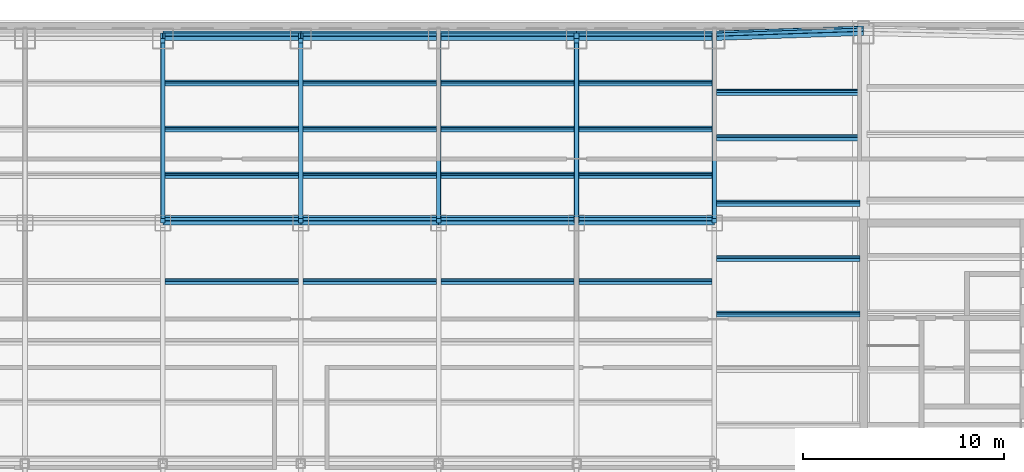
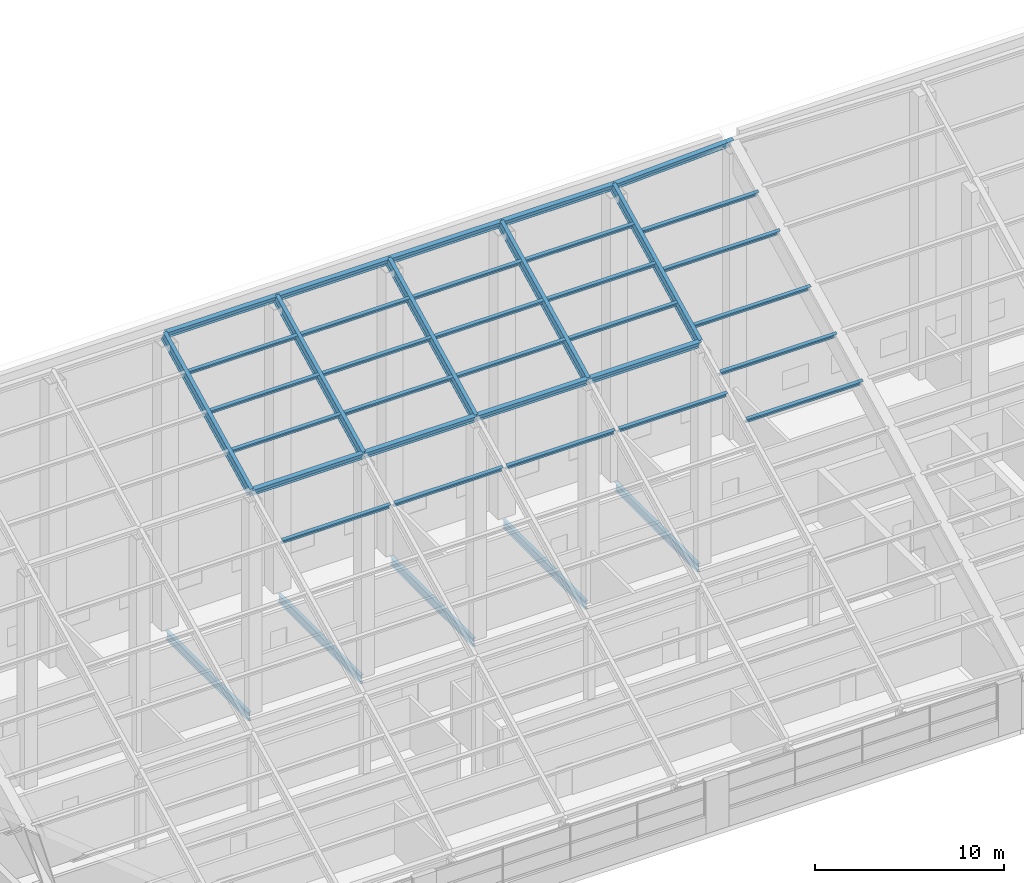
# One storey, part 12 of 28: 35 members, 5 beams.
"""IFC4 building model written with IfcOpenShell, lengths in metres."""

from ifc_helpers import new_model, si_unit, direction, frame, origin, origin_2d, place, context, subcontext, project, spatial, i_section, extrude, material, material_profile, profile_set, type_object, element, save


model = new_model("IFC4")

# Units and contexts
model_context = context("Model", 3, precision=1e-05, world=origin(), true_north=direction((0.0, 1.0)))
body_context = subcontext(model_context, "Body", "Model", "MODEL_VIEW")
ifc_project = project(units=[si_unit("LENGTHUNIT", "METRE"), si_unit("AREAUNIT", "SQUARE_METRE"), si_unit("VOLUMEUNIT", "CUBIC_METRE"), si_unit("PLANEANGLEUNIT", "RADIAN"), si_unit("MASSUNIT", "GRAM", prefix="KILO")], contexts=[model_context])

# Site, building, storey
site_placement = place(None, origin())
site = spatial("IfcSite", under=ifc_project, at=site_placement, CompositionType="ELEMENT")
building_placement = place(site_placement, origin())
building = spatial("IfcBuilding", under=site, at=building_placement, Name="Tuart Gate Housing", CompositionType="ELEMENT")
storey_placement = place(building_placement, frame((0.0, 0.0, 243.89990234375)))
storey = spatial("IfcBuildingStorey", under=building, at=storey_placement, Name="L68", CompositionType="ELEMENT", Elevation=243.89990234375)

# Members
ifc_material_1 = material(Name="Steel Grade 350", Category="steel")
ifc_material_profile_1 = material_profile(ifc_material_1, i_section(OverallWidth=0.22900390625, OverallDepth=0.612060546875, WebThickness=0.011962890625, FlangeThickness=0.01953125, at=origin_2d()), Name="610UB125")
ifc_profile_set_1 = profile_set([ifc_material_profile_1], Name="Steel Grade 350")
member_type_1 = type_object("IfcMemberType", Name="Crown purlin 610 UB125", PredefinedType="PURLIN", material=ifc_profile_set_1)
for number, where, z_axis, x_axis, name in (
    (1, (96.625, 76.13671875, 14.0263671875), (1.0, 0.0, 0.0), (0.0, 0.89442680992, 0.44721435766), "Crown purlin 27"),
    (2, (103.5, 76.13671875, 14.0263671875), (1.0, 0.0, 0.0), (0.0, 0.89442680992, 0.44721435766), "Crown purlin 28"),
    (3, (110.375, 76.13671875, 14.0263671875), (1.0, 0.0, 0.0), (0.0, 0.89442680992, 0.44721435766), "Crown purlin 29"),
    (4, (117.25, 76.13671875, 14.0263671875), (1.0, 0.0, 0.0), (0.0, 0.89442680992, 0.44721435766), "Crown purlin 30"),
    (5, (96.625, 85.3369140625, 18.62646484375), (1.0, 0.0, 0.0), (0.0, 0.89442680992, 0.44721435766), "Crown purlin 39"),
    (6, (103.5, 85.3369140625, 18.62646484375), (1.0, 0.0, 0.0), (0.0, 0.89442680992, 0.44721435766), "Crown purlin 40"),
    (7, (110.375, 85.3369140625, 18.62646484375), (1.0, 0.0, 0.0), (0.0, 0.89442680992, 0.44721435766), "Crown purlin 41"),
    (8, (117.25, 85.3369140625, 18.62646484375), (1.0, 0.0, 0.0), (0.0, 0.89442680992, 0.44721435766), "Crown purlin 42"),
):
    element("IfcMember", number, at=place(storey_placement, frame(where, z_axis=z_axis, x_axis=x_axis)), inside=storey, type_object=member_type_1, Name=name, PredefinedType="PURLIN", context=body_context, shape_type="SweptSolid", body=[
        extrude(i_section(OverallWidth=0.22900390625, OverallDepth=0.612060546875, WebThickness=0.011962890625, FlangeThickness=0.01953125, at=origin_2d()), origin(), (0.0, 0.0, 1.0), 6.875),
    ])
member_1_placement = place(storey_placement, frame((124.125, 85.3369140625, 18.62646484375), z_axis=(0.999292216984, 0.03364598133, 0.016822990665), x_axis=(-0.037617349195, 0.893667083504, 0.44715106944)))
element("IfcMember", 9, at=member_1_placement, inside=storey, type_object=member_type_1, Name="Crown purlin 43", PredefinedType="PURLIN", context=body_context, shape_type="SweptSolid", body=[
    extrude(i_section(OverallWidth=0.22900390625, OverallDepth=0.612060546875, WebThickness=0.011962890625, FlangeThickness=0.01953125, at=origin_2d()), origin(), (0.0, 0.0, 1.0), 7.430419921875),
])
ifc_material_2 = material(Name="Steel Grade 350", Category="steel")
ifc_material_profile_2 = material_profile(ifc_material_2, i_section(OverallWidth=0.22900390625, OverallDepth=0.612060546875, WebThickness=0.011962890625, FlangeThickness=0.01953125, at=origin_2d()), Name="610UB125")
ifc_profile_set_2 = profile_set([ifc_material_profile_2], Name="Steel Grade 350")
member_type_2 = type_object("IfcMemberType", Name="Crown rafter 610 UB125 (10.3-10.6 m)", PredefinedType="RAFTER", material=ifc_profile_set_2)
for number, where, z_axis, x_axis, name in (
    (10, (96.625, 76.13671875, 14.0263671875), (0.0, 0.894427191, 0.4472135955), (-1.0, 0.0, 0.0), "Crown rafter 20"),
    (11, (103.5, 76.13671875, 14.0263671875), (0.0, 0.894427191, 0.4472135955), (-1.0, 0.0, 0.0), "Crown rafter 23"),
    (12, (110.375, 76.13671875, 14.0263671875), (0.0, 0.894427191, 0.4472135955), (-1.0, 0.0, 0.0), "Crown rafter 26"),
    (13, (117.25, 76.13671875, 14.0263671875), (0.0, 0.894427191, 0.4472135955), (-1.0, 0.0, 0.0), "Crown rafter 29"),
    (14, (124.125, 76.13671875, 14.0263671875), (0.0, 0.894427191, 0.4472135955), (-1.0, 0.0, 0.0), "Crown rafter 32"),
):
    element("IfcMember", number, at=place(storey_placement, frame(where, z_axis=z_axis, x_axis=x_axis)), inside=storey, type_object=member_type_2, Name=name, PredefinedType="RAFTER", context=body_context, shape_type="SweptSolid", body=[
        extrude(i_section(OverallWidth=0.22900390625, OverallDepth=0.612060546875, WebThickness=0.011962890625, FlangeThickness=0.01953125, at=origin_2d()), origin(), (0.0, 0.0, 1.0), 10.2861328125),
    ])
ifc_material_3 = material(Name="Steel Grade 350", Category="steel")
ifc_material_profile_3 = material_profile(ifc_material_3, i_section(OverallWidth=0.1708984375, OverallDepth=0.35205078125, WebThickness=0.0068359375, FlangeThickness=0.009765625, at=origin_2d()), Name="360UB44.7")
ifc_profile_set_3 = profile_set([ifc_material_profile_3], Name="Steel Grade 350")
member_type_3 = type_object("IfcMemberType", Name="Crown secondary purlin 360 UB44.7", PredefinedType="PURLIN", material=ifc_profile_set_3)
member_2_placement = place(storey_placement, frame((124.239501953125, 71.46044921875, 11.83349609375), z_axis=(1.0, 0.0, 0.0), x_axis=(0.0, 0.89442680992, 0.44721435766)))
element("IfcMember", 15, at=member_2_placement, inside=storey, type_object=member_type_3, Name="Crown secondary purlin 78", PredefinedType="PURLIN", context=body_context, shape_type="SweptSolid", body=[
    extrude(i_section(OverallWidth=0.1708984375, OverallDepth=0.35205078125, WebThickness=0.0068359375, FlangeThickness=0.009765625, at=origin_2d()), origin(), (0.0, 0.0, 1.0), 7.135498046875),
])
for number, where, z_axis, x_axis, name in (
    (16, (96.739501953125, 73.07861328125, 12.642578125), (1.0, 0.0, 0.0), (0.0, 0.89442680992, 0.44721435766), "Crown secondary purlin 84"),
    (17, (103.614501953125, 73.07861328125, 12.642578125), (1.0, 0.0, 0.0), (0.0, 0.89442680992, 0.44721435766), "Crown secondary purlin 85"),
    (18, (110.489501953125, 73.07861328125, 12.642578125), (1.0, 0.0, 0.0), (0.0, 0.89442680992, 0.44721435766), "Crown secondary purlin 86"),
    (19, (117.364501953125, 73.07861328125, 12.642578125), (1.0, 0.0, 0.0), (0.0, 0.89442680992, 0.44721435766), "Crown secondary purlin 87"),
):
    element("IfcMember", number, at=place(storey_placement, frame(where, z_axis=z_axis, x_axis=x_axis)), inside=storey, type_object=member_type_3, Name=name, PredefinedType="PURLIN", context=body_context, shape_type="SweptSolid", body=[
        extrude(i_section(OverallWidth=0.1708984375, OverallDepth=0.35205078125, WebThickness=0.0068359375, FlangeThickness=0.009765625, at=origin_2d()), origin(), (0.0, 0.0, 1.0), 6.64599609375),
    ])
for number, where, z_axis, x_axis, name in (
    (20, (124.239501953125, 74.22412109375, 13.21533203125), (1.0, 0.0, 0.0), (0.0, 0.89442680992, 0.44721435766), "Crown secondary purlin 91"),
    (21, (124.239501953125, 76.98779296875, 14.59716796875), (1.0, 0.0, 0.0), (0.0, 0.89442680992, 0.44721435766), "Crown secondary purlin 100"),
):
    element("IfcMember", number, at=place(storey_placement, frame(where, z_axis=z_axis, x_axis=x_axis)), inside=storey, type_object=member_type_3, Name=name, PredefinedType="PURLIN", context=body_context, shape_type="SweptSolid", body=[
        extrude(i_section(OverallWidth=0.1708984375, OverallDepth=0.35205078125, WebThickness=0.0068359375, FlangeThickness=0.009765625, at=origin_2d()), origin(), (0.0, 0.0, 1.0), 7.135498046875),
    ])
for number, where, z_axis, x_axis, name in (
    (22, (96.739501953125, 78.378662109375, 15.292724609375), (1.0, 0.0, 0.0), (0.0, 0.89442680992, 0.44721435766), "Crown secondary purlin 108"),
    (23, (103.614501953125, 78.378662109375, 15.292724609375), (1.0, 0.0, 0.0), (0.0, 0.89442680992, 0.44721435766), "Crown secondary purlin 109"),
    (24, (110.489501953125, 78.378662109375, 15.292724609375), (1.0, 0.0, 0.0), (0.0, 0.89442680992, 0.44721435766), "Crown secondary purlin 110"),
    (25, (117.364501953125, 78.378662109375, 15.292724609375), (1.0, 0.0, 0.0), (0.0, 0.89442680992, 0.44721435766), "Crown secondary purlin 111"),
):
    element("IfcMember", number, at=place(storey_placement, frame(where, z_axis=z_axis, x_axis=x_axis)), inside=storey, type_object=member_type_3, Name=name, PredefinedType="PURLIN", context=body_context, shape_type="SweptSolid", body=[
        extrude(i_section(OverallWidth=0.1708984375, OverallDepth=0.35205078125, WebThickness=0.0068359375, FlangeThickness=0.009765625, at=origin_2d()), origin(), (0.0, 0.0, 1.0), 6.64599609375),
    ])
member_3_placement = place(storey_placement, frame((124.239501953125, 80.25146484375, 16.22900390625), z_axis=(1.0, 0.0, 0.0), x_axis=(0.0, 0.89442680992, 0.44721435766)))
element("IfcMember", 26, at=member_3_placement, inside=storey, type_object=member_type_3, Name="Crown secondary purlin 113", PredefinedType="PURLIN", context=body_context, shape_type="SweptSolid", body=[
    extrude(i_section(OverallWidth=0.1708984375, OverallDepth=0.35205078125, WebThickness=0.0068359375, FlangeThickness=0.009765625, at=origin_2d()), origin(), (0.0, 0.0, 1.0), 7.135498046875),
])
for number, where, z_axis, x_axis, name in (
    (27, (96.739501953125, 80.6787109375, 16.442626953125), (1.0, 0.0, 0.0), (0.0, 0.89442680992, 0.44721435766), "Crown secondary purlin 120"),
    (28, (103.614501953125, 80.6787109375, 16.442626953125), (1.0, 0.0, 0.0), (0.0, 0.89442680992, 0.44721435766), "Crown secondary purlin 121"),
    (29, (110.489501953125, 80.6787109375, 16.442626953125), (1.0, 0.0, 0.0), (0.0, 0.89442680992, 0.44721435766), "Crown secondary purlin 122"),
    (30, (117.364501953125, 80.6787109375, 16.442626953125), (1.0, 0.0, 0.0), (0.0, 0.89442680992, 0.44721435766), "Crown secondary purlin 123"),
):
    element("IfcMember", number, at=place(storey_placement, frame(where, z_axis=z_axis, x_axis=x_axis)), inside=storey, type_object=member_type_3, Name=name, PredefinedType="PURLIN", context=body_context, shape_type="SweptSolid", body=[
        extrude(i_section(OverallWidth=0.1708984375, OverallDepth=0.35205078125, WebThickness=0.0068359375, FlangeThickness=0.009765625, at=origin_2d()), origin(), (0.0, 0.0, 1.0), 6.64599609375),
    ])
member_4_placement = place(storey_placement, frame((124.239501953125, 82.51513671875, 17.36083984375), z_axis=(1.0, 0.0, 0.0), x_axis=(0.0, 0.89442680992, 0.44721435766)))
element("IfcMember", 31, at=member_4_placement, inside=storey, type_object=member_type_3, Name="Crown secondary purlin 127", PredefinedType="PURLIN", context=body_context, shape_type="SweptSolid", body=[
    extrude(i_section(OverallWidth=0.1708984375, OverallDepth=0.35205078125, WebThickness=0.0068359375, FlangeThickness=0.009765625, at=origin_2d()), origin(), (0.0, 0.0, 1.0), 7.135498046875),
])
for number, where, z_axis, x_axis, name in (
    (32, (96.739501953125, 82.978759765625, 17.5927734375), (1.0, 0.0, 0.0), (0.0, 0.89442680992, 0.44721435766), "Crown secondary purlin 135"),
    (33, (103.614501953125, 82.978759765625, 17.5927734375), (1.0, 0.0, 0.0), (0.0, 0.89442680992, 0.44721435766), "Crown secondary purlin 136"),
    (34, (110.489501953125, 82.978759765625, 17.5927734375), (1.0, 0.0, 0.0), (0.0, 0.89442680992, 0.44721435766), "Crown secondary purlin 137"),
    (35, (117.364501953125, 82.978759765625, 17.5927734375), (1.0, 0.0, 0.0), (0.0, 0.89442680992, 0.44721435766), "Crown secondary purlin 138"),
):
    element("IfcMember", number, at=place(storey_placement, frame(where, z_axis=z_axis, x_axis=x_axis)), inside=storey, type_object=member_type_3, Name=name, PredefinedType="PURLIN", context=body_context, shape_type="SweptSolid", body=[
        extrude(i_section(OverallWidth=0.1708984375, OverallDepth=0.35205078125, WebThickness=0.0068359375, FlangeThickness=0.009765625, at=origin_2d()), origin(), (0.0, 0.0, 1.0), 6.64599609375),
    ])

# Beams
ifc_material_4 = material(Name="Steel Grade 350", Category="steel")
ifc_material_profile_4 = material_profile(ifc_material_4, i_section(OverallWidth=0.208984375, OverallDepth=0.532958984375, WebThickness=0.01025390625, FlangeThickness=0.015625, at=origin_2d()), Name="530UB92.4")
ifc_profile_set_4 = profile_set([ifc_material_profile_4], Name="Steel Grade 350")
beam_type = type_object("IfcBeamType", Name="Floor beam 530 UB92.4", PredefinedType="BEAM", material=ifc_profile_set_4)
for number, where, z_axis, x_axis, name in (
    (36, (96.625, 76.215087890625, -0.56689453125), (0.0, 1.0, 0.0), (-1.0, 0.0, 0.0), "Block floor beam L68 bay 3 position 3"),
    (37, (103.5, 76.215087890625, -0.56689453125), (0.0, 1.0, 0.0), (-1.0, 0.0, 0.0), "Block floor beam L68 bay 4 position 3"),
    (38, (110.375, 76.215087890625, -0.56689453125), (0.0, 1.0, 0.0), (-1.0, 0.0, 0.0), "Block floor beam L68 bay 5 position 3"),
    (39, (117.25, 76.215087890625, -0.56689453125), (0.0, 1.0, 0.0), (-1.0, 0.0, 0.0), "Block floor beam L68 bay 6 position 3"),
    (40, (124.125, 76.215087890625, -0.56689453125), (0.0, 1.0, 0.0), (-1.0, 0.0, 0.0), "Block floor beam L68 bay 7 position 3"),
):
    element("IfcBeam", number, at=place(storey_placement, frame(where, z_axis=z_axis, x_axis=x_axis)), inside=storey, type_object=beam_type, Name=name, PredefinedType="BEAM", context=body_context, shape_type="SweptSolid", body=[
        extrude(i_section(OverallWidth=0.208984375, OverallDepth=0.532958984375, WebThickness=0.01025390625, FlangeThickness=0.015625, at=origin_2d()), origin(), (0.0, 0.0, 1.0), 8.77001953125),
    ])

save(model, "model.ifc")
